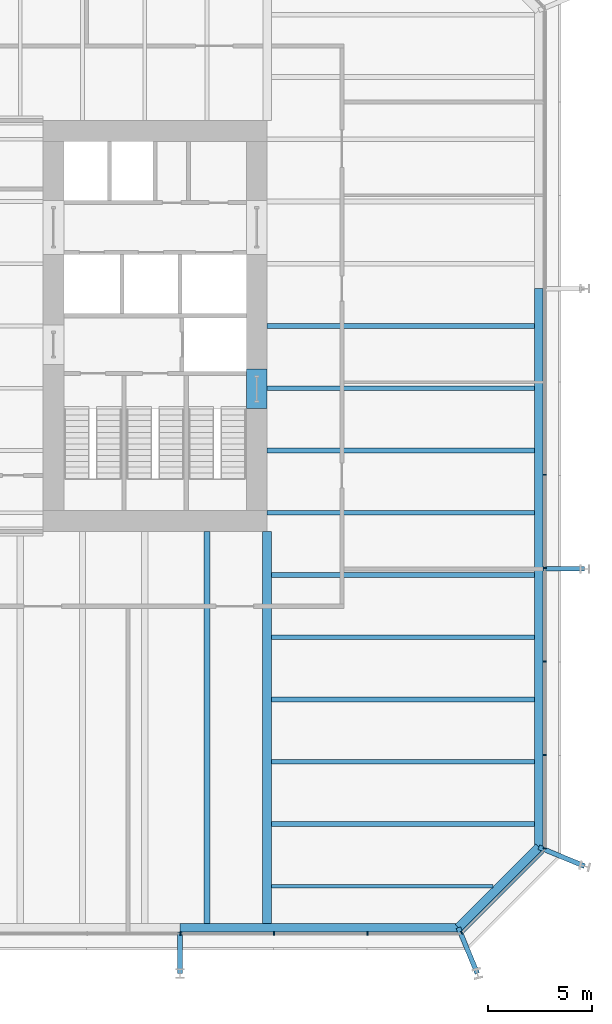
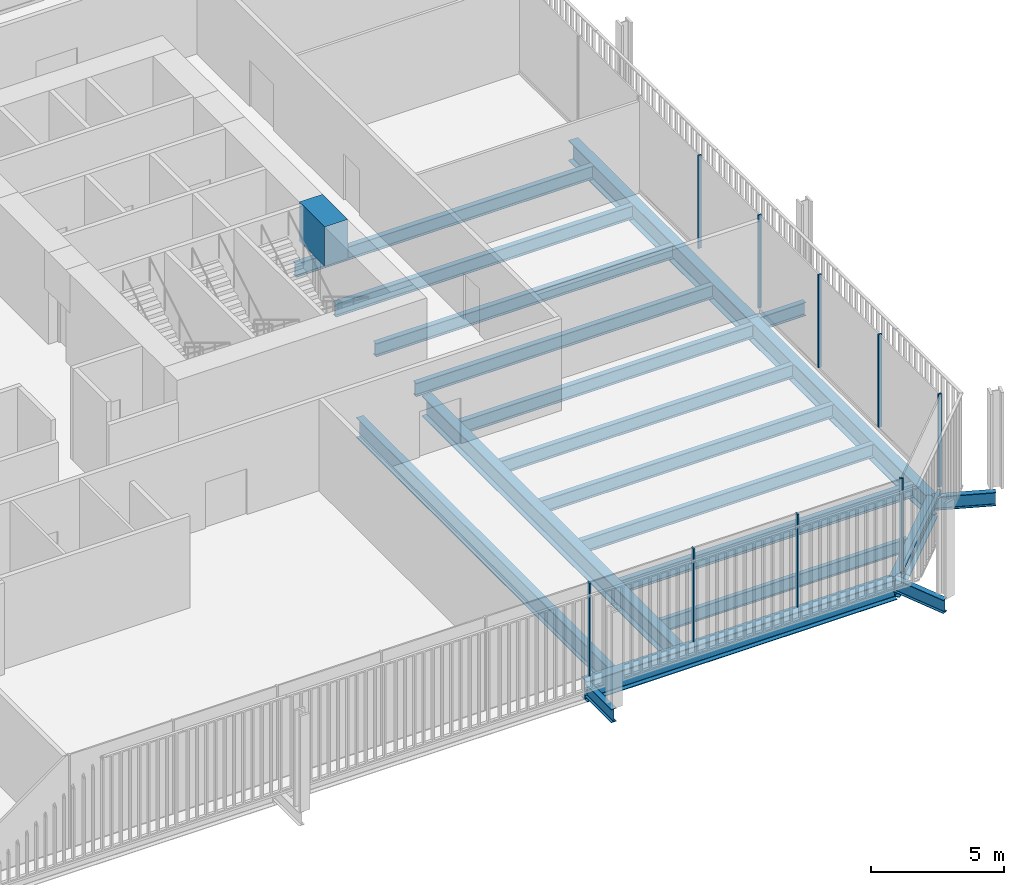
# One storey, part 8 of 20: 21 beams, 10 members, 3 elements without a shape of their own.
"""IFC4 building model written with IfcOpenShell, lengths in metres."""

import ifcopenshell
import ifcopenshell.guid

model = None  # the IFC model being written
_history = None  # IfcOwnerHistory: only IFC2X3 demands one
_inside = {}  # id of a spatial element -> (the spatial element, [elements in it])
_under = {}  # id of a project, library or spatial element -> (it, [spatial elements below it])
_declared = {}  # id of a project -> (the project, [libraries it declares])
_typed = {}  # id of a type object -> (the type object, [elements of that type])
_made_of = {}  # id of a material, layer set ... -> (it, [elements and type objects made of it])


def new_model(schema):
    """Start an empty IFC model of exactly this schema.

    Asked for "IFC4X3", IfcOpenShell would pick the latest addendum, in which some entities
    have other attributes; the version numbers below select the first issue.
    IFC2X3 requires an IfcOwnerHistory on every rooted entity: one is made here for all.
    """
    global model, _history
    if schema == "IFC4X3":
        model = ifcopenshell.file(schema_version=(4, 3, 0, 0))
    else:
        model = ifcopenshell.file(schema=schema)
    _inside.clear()
    _under.clear()
    _declared.clear()
    _typed.clear()
    _made_of.clear()
    _history = None
    if model.schema == "IFC2X3":
        org = make("IfcOrganization", Name="unknown")
        user = make(
            "IfcPersonAndOrganization",
            ThePerson=make("IfcPerson", FamilyName="unknown"),
            TheOrganization=org,
        )
        app = make(
            "IfcApplication",
            ApplicationDeveloper=org,
            Version="unknown",
            ApplicationFullName="unknown",
            ApplicationIdentifier="unknown",
        )
        _history = make(
            "IfcOwnerHistory",
            OwningUser=user,
            OwningApplication=app,
            ChangeAction="ADDED",
            CreationDate=0,
        )
    return model


def make(cls, **values):
    """One entity of the class cls with the attributes given. An attribute that is None is left unset."""
    return model.create_entity(
        cls, **{name: value for name, value in values.items() if value is not None}
    )


def rooted(cls, **values):
    """An entity with a GlobalId (a new one), such as an element, a storey or a relation."""
    return make(cls, GlobalId=ifcopenshell.guid.new(), OwnerHistory=_history, **values)


def si_unit(unit_type, name, prefix=None):
    """IfcSIUnit, for example si_unit("LENGTHUNIT", "METRE", prefix="MILLI")."""
    return make("IfcSIUnit", UnitType=unit_type, Prefix=prefix, Name=name)


def assignment(units):
    """IfcUnitAssignment: the units of a project."""
    return None if units is None else make("IfcUnitAssignment", Units=units)


def point(xyz):
    """IfcCartesianPoint."""
    return None if xyz is None else make("IfcCartesianPoint", Coordinates=xyz)


def direction(xyz):
    """IfcDirection."""
    return None if xyz is None else make("IfcDirection", DirectionRatios=xyz)


def frame(location, z_axis=None, x_axis=None):
    """IfcAxis2Placement3D, a coordinate frame: its origin and axes. An axis left out is left unset."""
    return make(
        "IfcAxis2Placement3D",
        Location=point(location),
        Axis=direction(z_axis),
        RefDirection=direction(x_axis),
    )


def frame_2d(location, x_axis=None):
    """IfcAxis2Placement2D, a coordinate frame in the plane: its origin and x axis."""
    return make(
        "IfcAxis2Placement2D", Location=point(location), RefDirection=direction(x_axis)
    )


def origin():
    """The frame at (0, 0, 0) with its axes left unset."""
    return frame((0.0, 0.0, 0.0))


def origin_2d():
    """The frame at (0, 0) in the plane with its x axis left unset."""
    return frame_2d((0.0, 0.0))


def place(relative_to, where):
    """IfcLocalPlacement: puts the frame where relative to a parent placement (None: the world)."""
    return make(
        "IfcLocalPlacement", PlacementRelTo=relative_to, RelativePlacement=where
    )


def context(
    kind, dimensions, precision=None, world=None, true_north=None, identifier=None
):
    """IfcGeometricRepresentationContext, for example the 3D "Model" context."""
    return make(
        "IfcGeometricRepresentationContext",
        ContextIdentifier=identifier,
        ContextType=kind,
        CoordinateSpaceDimension=dimensions,
        Precision=precision,
        WorldCoordinateSystem=world,
        TrueNorth=true_north,
    )


def subcontext(parent, identifier, kind, view, scale=None):
    """IfcGeometricRepresentationSubContext, for example "Body" below "Model"."""
    return make(
        "IfcGeometricRepresentationSubContext",
        ContextIdentifier=identifier,
        ContextType=kind,
        ParentContext=parent,
        TargetScale=scale,
        TargetView=view,
    )


def project(units=None, contexts=None):
    """IfcProject with its units and contexts."""
    return rooted(
        "IfcProject",
        Name="project",
        RepresentationContexts=contexts,
        UnitsInContext=assignment(units),
    )


def spatial(cls, under=None, at=None, **own):
    """A site, building, storey or space (cls), placed at a placement, below another one or the project."""
    s = rooted(cls, ObjectPlacement=at, **own)
    if under is not None:
        _under.setdefault(under.id(), (under, []))[1].append(s)
    return s


def profile(cls, at=None, kind="AREA", **sizes):
    """A parametric profile (cls). Its sizes go by their IFC names, for example OverallWidth=200.0."""
    return make(cls, ProfileType=kind, Position=at, **sizes)


def rectangle(**sizes):
    """IfcRectangleProfileDef."""
    return profile("IfcRectangleProfileDef", **sizes)


def i_section(**sizes):
    """IfcIShapeProfileDef."""
    return profile("IfcIShapeProfileDef", **sizes)


def extrude(swept, where, along, depth):
    """IfcExtrudedAreaSolid: the profile swept, set in the frame where, extruded along a direction by depth."""
    return make(
        "IfcExtrudedAreaSolid",
        SweptArea=swept,
        Position=where,
        ExtrudedDirection=direction(along),
        Depth=depth,
    )


def shape(context_of_items, identifier, shape_type, items):
    """IfcShapeRepresentation: the items that make up one representation, for example the "Body"."""
    return make(
        "IfcShapeRepresentation",
        ContextOfItems=context_of_items,
        RepresentationIdentifier=identifier,
        RepresentationType=shape_type,
        Items=items,
    )


def material(Name=None, Category=None):
    """IfcMaterial."""
    return make("IfcMaterial", Name=Name, Category=Category)


def layer(
    of_material, thickness, ventilated=None, Name=None, Category=None, Priority=None
):
    """IfcMaterialLayer: one layer of a wall or slab, of a material (None: an air gap)."""
    return make(
        "IfcMaterialLayer",
        Material=of_material,
        LayerThickness=thickness,
        IsVentilated=ventilated,
        Name=Name,
        Category=Category,
        Priority=Priority,
    )


def layer_set(layers, Name=None):
    """IfcMaterialLayerSet."""
    return make("IfcMaterialLayerSet", MaterialLayers=layers, LayerSetName=Name)


def material_profile(
    of_material, cross_section, Name=None, Category=None, Priority=None
):
    """IfcMaterialProfile: a cross section and its material."""
    return make(
        "IfcMaterialProfile",
        Name=Name,
        Material=of_material,
        Profile=cross_section,
        Priority=Priority,
        Category=Category,
    )


def profile_set(profiles, Name=None, composite=None):
    """IfcMaterialProfileSet."""
    return make(
        "IfcMaterialProfileSet",
        Name=Name,
        MaterialProfiles=profiles,
        CompositeProfile=composite,
    )


def made_of(thing, what):
    """Note that an element or type object is made of a material, layer set ...; save() writes the relation."""
    if what is not None:
        _made_of.setdefault(what.id(), (what, []))[1].append(thing)
    return thing


def type_object(cls, material=None, **own):
    """A type object (cls), such as IfcWallType, which elements share."""
    return made_of(rooted(cls, **own), material)


def element(
    cls,
    number,
    at=None,
    inside=None,
    cuts=None,
    type_object=None,
    material=None,
    context=None,
    identifier="Body",
    shape_type=None,
    held_by="IfcProductDefinitionShape",
    body=None,
    shapes=None,
    **own,
):
    """One element of the class cls, such as IfcWall. Its Tag is "e" and its number.

    at: its placement. inside: the storey or other place that contains it. cuts: it is an
    opening in that element (IfcRelVoidsElement). A single representation is given by context,
    identifier, shape_type and body (its items); several are given by shapes. held_by: the class
    of the entity that holds the representations. save() writes the other relations.
    """
    e = rooted(cls, Tag="e%d" % number, ObjectPlacement=at, **own)
    if body is not None:
        shapes = [shape(context, identifier, shape_type, body)]
    if shapes is not None:
        e.Representation = make(held_by, Representations=shapes)
    if inside is not None:
        _inside.setdefault(inside.id(), (inside, []))[1].append(e)
    if cuts is not None:
        rooted(
            "IfcRelVoidsElement", RelatingBuildingElement=cuts, RelatedOpeningElement=e
        )
    if type_object is not None:
        _typed.setdefault(type_object.id(), (type_object, []))[1].append(e)
    return made_of(e, material)


def aggregate(whole, parts):
    """IfcRelAggregates: a whole, such as a stair, and the parts it consists of."""
    return rooted("IfcRelAggregates", RelatingObject=whole, RelatedObjects=parts)


def save(model, path):
    """Write the relations noted so far, then the file.

    IfcRelAggregates (storeys below a building ...), IfcRelContainedInSpatialStructure (elements
    in a storey), IfcRelDefinesByType, IfcRelAssociatesMaterial and IfcRelDeclares: one each for
    every whole, place, type object, material and project.
    """
    for whole, parts in _under.values():
        aggregate(whole, parts)
    for where, things in _inside.values():
        rooted(
            "IfcRelContainedInSpatialStructure",
            RelatedElements=things,
            RelatingStructure=where,
        )
    for kind, things in _typed.values():
        rooted("IfcRelDefinesByType", RelatedObjects=things, RelatingType=kind)
    for what, things in _made_of.values():
        rooted("IfcRelAssociatesMaterial", RelatedObjects=things, RelatingMaterial=what)
    for by, libraries in _declared.values():
        rooted("IfcRelDeclares", RelatingContext=by, RelatedDefinitions=libraries)
    model.write(path)


model = new_model("IFC4")

# Units and contexts
model_context = context("Model", 3, precision=1e-05, world=origin(), true_north=direction((0.0, 1.0)))
body_context = subcontext(model_context, "Body", "Model", "MODEL_VIEW")
ifc_project = project(units=[si_unit("LENGTHUNIT", "METRE"), si_unit("AREAUNIT", "SQUARE_METRE"), si_unit("VOLUMEUNIT", "CUBIC_METRE"), si_unit("PLANEANGLEUNIT", "RADIAN"), si_unit("MASSUNIT", "GRAM", prefix="KILO")], contexts=[model_context])

# Site, building, storey
site_placement = place(None, origin())
site = spatial("IfcSite", under=ifc_project, at=site_placement, CompositionType="ELEMENT")
building_placement = place(site_placement, origin())
building = spatial("IfcBuilding", under=site, at=building_placement, Name="Millrace Tower", CompositionType="ELEMENT")
storey_placement = place(building_placement, frame((0.0, 0.0, 86.39990234375)))
storey = spatial("IfcBuildingStorey", under=building, at=storey_placement, Name="L19", CompositionType="ELEMENT", Elevation=86.39990234375)

# Curtain wall, members
ifc_material_1 = material(Name="Aluminium and glass", Category="aluminium")
ifc_layer = layer(ifc_material_1, 0.14990234375)
ifc_layer_set = layer_set([ifc_layer], Name="Aluminium and glass")
curtain_wall_type = type_object("IfcCurtainWallType", Name="CW-3 telecom floor curtain wall", PredefinedType="NOTDEFINED", material=ifc_layer_set)
placement = place(storey_placement, origin())
curtain_wall_1 = element("IfcCurtainWall", 1, at=placement, inside=storey, type_object=curtain_wall_type, Name="Curtain wall B-F02 L19", PredefinedType="NOTDEFINED")
ifc_material_2 = material(Name="Aluminium", Category="aluminium")
ifc_material_profile_1 = material_profile(ifc_material_2, rectangle(XDim=0.06494140625, YDim=0.14990234375, at=origin_2d()))
ifc_profile_set_1 = profile_set([ifc_material_profile_1], Name="Aluminium")
member_type_1 = type_object("IfcMemberType", Name="CW-3 telecom floor curtain wall mullion", PredefinedType="MULLION", material=ifc_profile_set_1)
member_1_placement = place(storey_placement, frame((10.732421875, -29.27490234375, 0.150146484375), z_axis=(0.0, 0.0, 1.0), x_axis=(1.0, 0.0, 0.0)))
member_1 = element("IfcMember", 2, at=member_1_placement, type_object=member_type_1, Name="CW3 mullion B-F02.7", PredefinedType="MULLION", context=body_context, shape_type="SweptSolid", body=[
    extrude(rectangle(XDim=0.06494140625, YDim=0.14990234375, at=origin_2d()), origin(), (0.0, 0.0, 1.0), 4.25),
])
member_2_placement = place(storey_placement, frame((15.232421875, -29.27490234375, 0.150146484375), z_axis=(0.0, 0.0, 1.0), x_axis=(1.0, 0.0, 0.0)))
member_2 = element("IfcMember", 3, at=member_2_placement, type_object=member_type_1, Name="CW3 mullion B-F02.8", PredefinedType="MULLION", context=body_context, shape_type="SweptSolid", body=[
    extrude(rectangle(XDim=0.06494140625, YDim=0.14990234375, at=origin_2d()), origin(), (0.0, 0.0, 1.0), 4.25),
])
member_3_placement = place(storey_placement, frame((19.732421875, -29.27490234375, 0.150146484375), z_axis=(0.0, 0.0, 1.0), x_axis=(1.0, 0.0, 0.0)))
member_3 = element("IfcMember", 4, at=member_3_placement, type_object=member_type_1, Name="CW3 mullion B-F02.9", PredefinedType="MULLION", context=body_context, shape_type="SweptSolid", body=[
    extrude(rectangle(XDim=0.06494140625, YDim=0.14990234375, at=origin_2d()), origin(), (0.0, 0.0, 1.0), 4.25),
])
aggregate(curtain_wall_1, [member_1, member_2, member_3])

# Curtain wall, member
curtain_wall_2 = element("IfcCurtainWall", 5, at=placement, inside=storey, type_object=curtain_wall_type, Name="Curtain wall B-F03 L19", PredefinedType="NOTDEFINED")
member_4_placement = place(storey_placement, frame((24.276123046875, -29.22998046875, 0.150146484375), z_axis=(0.0, 0.0, 1.0), x_axis=(0.707106781187, 0.707106781187, 0.0)))
member_4 = element("IfcMember", 6, at=member_4_placement, type_object=member_type_1, Name="CW3 mullion B-F03.1", PredefinedType="MULLION", context=body_context, shape_type="SweptSolid", body=[
    extrude(rectangle(XDim=0.06494140625, YDim=0.14990234375, at=origin_2d()), origin(), (0.0, 0.0, 1.0), 4.25),
])

# Curtain wall, members
curtain_wall_3 = element("IfcCurtainWall", 7, at=placement, inside=storey, type_object=curtain_wall_type, Name="Curtain wall B-F04 L19", PredefinedType="NOTDEFINED")
member_5_placement = place(storey_placement, frame((28.27490234375, -25.16748046875, 0.150146484375), z_axis=(0.0, 0.0, 1.0), x_axis=(0.0, 1.0, 0.0)))
member_5 = element("IfcMember", 8, at=member_5_placement, type_object=member_type_1, Name="CW3 mullion B-F04.1", PredefinedType="MULLION", context=body_context, shape_type="SweptSolid", body=[
    extrude(rectangle(XDim=0.06494140625, YDim=0.14990234375, at=origin_2d()), origin(), (0.0, 0.0, 1.0), 4.25),
])
member_6_placement = place(storey_placement, frame((28.27490234375, -20.66748046875, 0.150146484375), z_axis=(0.0, 0.0, 1.0), x_axis=(0.0, 1.0, 0.0)))
member_6 = element("IfcMember", 9, at=member_6_placement, type_object=member_type_1, Name="CW3 mullion B-F04.2", PredefinedType="MULLION", context=body_context, shape_type="SweptSolid", body=[
    extrude(rectangle(XDim=0.06494140625, YDim=0.14990234375, at=origin_2d()), origin(), (0.0, 0.0, 1.0), 4.25),
])
member_7_placement = place(storey_placement, frame((28.27490234375, -16.16748046875, 0.150146484375), z_axis=(0.0, 0.0, 1.0), x_axis=(0.0, 1.0, 0.0)))
member_7 = element("IfcMember", 10, at=member_7_placement, type_object=member_type_1, Name="CW3 mullion B-F04.3", PredefinedType="MULLION", context=body_context, shape_type="SweptSolid", body=[
    extrude(rectangle(XDim=0.06494140625, YDim=0.14990234375, at=origin_2d()), origin(), (0.0, 0.0, 1.0), 4.25),
])
member_8_placement = place(storey_placement, frame((28.27490234375, -11.66748046875, 0.150146484375), z_axis=(0.0, 0.0, 1.0), x_axis=(0.0, 1.0, 0.0)))
member_8 = element("IfcMember", 11, at=member_8_placement, type_object=member_type_1, Name="CW3 mullion B-F04.4", PredefinedType="MULLION", context=body_context, shape_type="SweptSolid", body=[
    extrude(rectangle(XDim=0.06494140625, YDim=0.14990234375, at=origin_2d()), origin(), (0.0, 0.0, 1.0), 4.25),
])
member_9_placement = place(storey_placement, frame((28.27490234375, -7.16748046875, 0.150146484375), z_axis=(0.0, 0.0, 1.0), x_axis=(0.0, 1.0, 0.0)))
member_9 = element("IfcMember", 12, at=member_9_placement, type_object=member_type_1, Name="CW3 mullion B-F04.5", PredefinedType="MULLION", context=body_context, shape_type="SweptSolid", body=[
    extrude(rectangle(XDim=0.06494140625, YDim=0.14990234375, at=origin_2d()), origin(), (0.0, 0.0, 1.0), 4.25),
])
aggregate(curtain_wall_3, [member_5, member_6, member_7, member_8, member_9])

# Member
ifc_material_3 = material(Name="Aluminium", Category="aluminium")
ifc_material_profile_2 = material_profile(ifc_material_3, rectangle(XDim=0.14990234375, YDim=0.14990234375, at=origin_2d()))
ifc_profile_set_2 = profile_set([ifc_material_profile_2], Name="Aluminium")
member_type_2 = type_object("IfcMemberType", Name="CW-3 telecom floor curtain wall transom", PredefinedType="USERDEFINED", material=ifc_profile_set_2)
member_10_placement = place(storey_placement, frame((24.32373046875, -29.182373046875, 0.0751953125), z_axis=(0.707106781187, 0.707106781187, 0.0), x_axis=(-0.707106781187, 0.707106781187, 0.0)))
member_10 = element("IfcMember", 13, at=member_10_placement, type_object=member_type_2, Name="CW3 transom B-F03.1", ObjectType="TRANSOM", PredefinedType="USERDEFINED", context=body_context, shape_type="SweptSolid", body=[
    extrude(rectangle(XDim=0.14990234375, YDim=0.14990234375, at=origin_2d()), origin(), (0.0, 0.0, 1.0), 5.45703125),
])

aggregate(curtain_wall_2, [member_4, member_10])

# Beams
ifc_material_4 = material(Name="Concrete C80", Category="concrete")
ifc_material_profile_3 = material_profile(ifc_material_4, rectangle(XDim=1.0, YDim=1.800048828125, at=origin_2d()))
ifc_profile_set_3 = profile_set([ifc_material_profile_3], Name="Concrete C80")
beam_type_1 = type_object("IfcBeamType", Name="Coupling beam 1000 x 1800 Concrete C80, 1300 opening", PredefinedType="BEAM", material=ifc_profile_set_3)
beam_1_placement = place(storey_placement, frame((14.39990234375, -2.080078125, 3.300048828125), z_axis=(0.0, -1.0, 0.0), x_axis=(1.0, 0.0, 0.0)))
element("IfcBeam", 14, at=beam_1_placement, inside=storey, type_object=beam_type_1, Name="Coupling beam E L19", PredefinedType="BEAM", context=body_context, shape_type="SweptSolid", body=[
    extrude(rectangle(XDim=1.0, YDim=1.800048828125, at=origin_2d()), origin(), (0.0, 0.0, 1.0), 1.89990234375),
])
ifc_material_5 = material(Name="Steel ASTM A992 Grade 50", Category="steel")
ifc_material_profile_4 = material_profile(ifc_material_5, i_section(OverallWidth=0.1787109375, OverallDepth=0.60205078125, WebThickness=0.010986328125, FlangeThickness=0.014892578125, FilletRadius=0.0126953125, at=origin_2d()))
ifc_profile_set_4 = profile_set([ifc_material_profile_4], Name="Steel ASTM A992 Grade 50")
beam_type_2 = type_object("IfcBeamType", Name="Floor beam W24x62", PredefinedType="JOIST", material=ifc_profile_set_4)
beam_2_placement = place(storey_placement, frame((15.11083984375, -27.0, -0.5009765625), z_axis=(1.0, 0.0, 0.0), x_axis=(0.0, 1.0, 0.0)))
element("IfcBeam", 15, at=beam_2_placement, inside=storey, type_object=beam_type_2, Name="BM-B-L19-S1-S002", PredefinedType="JOIST", context=body_context, shape_type="SweptSolid", body=[
    extrude(i_section(OverallWidth=0.1787109375, OverallDepth=0.60205078125, WebThickness=0.010986328125, FlangeThickness=0.014892578125, FilletRadius=0.0126953125, at=origin_2d()), origin(), (0.0, 0.0, 1.0), 10.67236328125),
])
ifc_material_6 = material(Name="Steel ASTM A992 Grade 50", Category="steel")
ifc_material_profile_5 = material_profile(ifc_material_6, i_section(OverallWidth=0.228271484375, OverallDepth=0.607177734375, WebThickness=0.01123046875, FlangeThickness=0.017333984375, FilletRadius=0.0126953125, at=origin_2d()))
ifc_profile_set_5 = profile_set([ifc_material_profile_5], Name="Steel ASTM A992 Grade 50")
beam_type_3 = type_object("IfcBeamType", Name="Floor beam W24x76", PredefinedType="JOIST", material=ifc_profile_set_5)
for number, where, z_axis, x_axis, name in (
    (16, (15.11083984375, -24.0, -0.50341796875), (1.0, 0.0, 0.0), (0.0, 1.0, 0.0), "BM-B-L19-S1-S004"),
    (17, (15.11083984375, -21.0, -0.50341796875), (1.0, 0.0, 0.0), (0.0, 1.0, 0.0), "BM-B-L19-S1-S006"),
    (18, (15.11083984375, -18.0, -0.50341796875), (1.0, 0.0, 0.0), (0.0, 1.0, 0.0), "BM-B-L19-S1-S008"),
    (19, (15.11083984375, -15.0, -0.50341796875), (1.0, 0.0, 0.0), (0.0, 1.0, 0.0), "BM-B-L19-S1-S010"),
    (20, (15.11083984375, -12.0, -0.50341796875), (1.0, 0.0, 0.0), (0.0, 1.0, 0.0), "BM-B-L19-S1-S012"),
):
    element("IfcBeam", number, at=place(storey_placement, frame(where, z_axis=z_axis, x_axis=x_axis)), inside=storey, type_object=beam_type_3, Name=name, PredefinedType="JOIST", context=body_context, shape_type="SweptSolid", body=[
        extrude(i_section(OverallWidth=0.228271484375, OverallDepth=0.607177734375, WebThickness=0.01123046875, FlangeThickness=0.017333984375, FilletRadius=0.0126953125, at=origin_2d()), origin(), (0.0, 0.0, 1.0), 12.670166015625),
    ])
for number, where, z_axis, x_axis, name in (
    (21, (14.89990234375, -9.0, -0.50341796875), (1.0, 0.0, 0.0), (0.0, 1.0, 0.0), "BM-B-L19-S1-S015"),
    (22, (14.89990234375, -6.0, -0.50341796875), (1.0, 0.0, 0.0), (0.0, 1.0, 0.0), "BM-B-L19-S1-S018"),
    (23, (14.89990234375, -3.0, -0.50341796875), (1.0, 0.0, 0.0), (0.0, 1.0, 0.0), "BM-B-L19-S1-S021"),
    (24, (14.89990234375, 0.0, -0.50341796875), (1.0, 0.0, 0.0), (0.0, 1.0, 0.0), "BM-B-L19-S1-S024"),
):
    element("IfcBeam", number, at=place(storey_placement, frame(where, z_axis=z_axis, x_axis=x_axis)), inside=storey, type_object=beam_type_3, Name=name, PredefinedType="JOIST", context=body_context, shape_type="SweptSolid", body=[
        extrude(i_section(OverallWidth=0.228271484375, OverallDepth=0.607177734375, WebThickness=0.01123046875, FlangeThickness=0.017333984375, FilletRadius=0.0126953125, at=origin_2d()), origin(), (0.0, 0.0, 1.0), 12.881103515625),
    ])
ifc_material_7 = material(Name="Steel ASTM A992 Grade 50", Category="steel")
ifc_material_profile_6 = material_profile(ifc_material_7, i_section(OverallWidth=0.307373046875, OverallDepth=0.927001953125, WebThickness=0.01953125, FlangeThickness=0.031982421875, FilletRadius=0.01904296875, at=origin_2d()))
ifc_profile_set_6 = profile_set([ifc_material_profile_6], Name="Steel ASTM A992 Grade 50")
beam_type_4 = type_object("IfcBeamType", Name="Floor beam W36x194", PredefinedType="JOIST", material=ifc_profile_set_6)
beam_3_placement = place(storey_placement, frame((12.0, -28.781005859375, -0.66357421875), z_axis=(0.0, 1.0, 0.0), x_axis=(-1.0, 0.0, 0.0)))
element("IfcBeam", 25, at=beam_3_placement, inside=storey, type_object=beam_type_4, Name="BM-B-L19-S1-S057", PredefinedType="JOIST", context=body_context, shape_type="SweptSolid", body=[
    extrude(i_section(OverallWidth=0.307373046875, OverallDepth=0.927001953125, WebThickness=0.01953125, FlangeThickness=0.031982421875, FilletRadius=0.01904296875, at=origin_2d()), origin(), (0.0, 0.0, 1.0), 18.881103515625),
])
ifc_material_8 = material(Name="Steel ASTM A992 Grade 50", Category="steel")
ifc_material_profile_7 = material_profile(ifc_material_8, i_section(OverallWidth=0.424072265625, OverallDepth=0.947509765625, WebThickness=0.02392578125, FlangeThickness=0.042724609375, FilletRadius=0.024169921875, at=origin_2d()))
ifc_profile_set_7 = profile_set([ifc_material_profile_7], Name="Steel ASTM A992 Grade 50")
beam_type_5 = type_object("IfcBeamType", Name="Girder medium span W36x302", PredefinedType="BEAM", material=ifc_profile_set_7)
beam_4_placement = place(storey_placement, frame((14.89990234375, -28.781005859375, -0.673583984375), z_axis=(0.0, 1.0, 0.0), x_axis=(-1.0, 0.0, 0.0)))
element("IfcBeam", 26, at=beam_4_placement, inside=storey, type_object=beam_type_5, Name="BM-B-L19-S1-G061", PredefinedType="BEAM", context=body_context, shape_type="SweptSolid", body=[
    extrude(i_section(OverallWidth=0.424072265625, OverallDepth=0.947509765625, WebThickness=0.02392578125, FlangeThickness=0.042724609375, FilletRadius=0.024169921875, at=origin_2d()), origin(), (0.0, 0.0, 1.0), 18.881103515625),
])
ifc_material_9 = material(Name="Steel ASTM A992 Grade 50", Category="steel")
ifc_material_profile_8 = material_profile(ifc_material_9, i_section(OverallWidth=0.23046875, OverallDepth=0.6171875, WebThickness=0.01318359375, FlangeThickness=0.022216796875, FilletRadius=0.012939453125, at=origin_2d()))
ifc_profile_set_8 = profile_set([ifc_material_profile_8], Name="Steel ASTM A992 Grade 50")
beam_type_6 = type_object("IfcBeamType", Name="Link beam W24x94", PredefinedType="BEAM", material=ifc_profile_set_8)
beam_5_placement = place(storey_placement, frame((28.199951171875, -11.699951171875, -0.508544921875), z_axis=(1.0, 0.0, 0.0), x_axis=(0.0, 1.0, 0.0)))
element("IfcBeam", 27, at=beam_5_placement, inside=storey, type_object=beam_type_6, Name="LNK-B-L19-S1-11", PredefinedType="BEAM", context=body_context, shape_type="SweptSolid", body=[
    extrude(i_section(OverallWidth=0.23046875, OverallDepth=0.6171875, WebThickness=0.01318359375, FlangeThickness=0.022216796875, FilletRadius=0.012939453125, at=origin_2d()), origin(), (0.0, 0.0, 1.0), 2.0),
])
for number, where, z_axis, x_axis, name in (
    (28, (27.990478515625, -25.11328125, -0.508544921875), (0.923902368833, -0.382628295954, 0.0), (0.382628295954, 0.923902368833, 0.0), "LNK-B-L19-S1-12"),
    (29, (24.11328125, -28.990478515625, -0.508544921875), (0.382628295954, -0.923902368833, 0.0), (0.923902368833, 0.382628295954, 0.0), "LNK-B-L19-S1-13"),
):
    element("IfcBeam", number, at=place(storey_placement, frame(where, z_axis=z_axis, x_axis=x_axis)), inside=storey, type_object=beam_type_6, Name=name, PredefinedType="BEAM", context=body_context, shape_type="SweptSolid", body=[
        extrude(i_section(OverallWidth=0.23046875, OverallDepth=0.6171875, WebThickness=0.01318359375, FlangeThickness=0.022216796875, FilletRadius=0.012939453125, at=origin_2d()), origin(), (0.0, 0.0, 1.0), 2.391357421875),
    ])
beam_6_placement = place(storey_placement, frame((10.699951171875, -29.199951171875, -0.508544921875), z_axis=(0.0, -1.0, 0.0), x_axis=(1.0, 0.0, 0.0)))
element("IfcBeam", 30, at=beam_6_placement, inside=storey, type_object=beam_type_6, Name="LNK-B-L19-S1-14", PredefinedType="BEAM", context=body_context, shape_type="SweptSolid", body=[
    extrude(i_section(OverallWidth=0.23046875, OverallDepth=0.6171875, WebThickness=0.01318359375, FlangeThickness=0.022216796875, FilletRadius=0.012939453125, at=origin_2d()), origin(), (0.0, 0.0, 1.0), 2.0),
])
ifc_material_10 = material(Name="Steel ASTM A992 Grade 50", Category="steel")
ifc_material_profile_9 = material_profile(ifc_material_10, i_section(OverallWidth=0.419189453125, OverallDepth=0.927001953125, WebThickness=0.019287109375, FlangeThickness=0.031982421875, FilletRadius=0.024169921875, at=origin_2d()))
ifc_profile_set_9 = profile_set([ifc_material_profile_9], Name="Steel ASTM A992 Grade 50")
beam_type_7 = type_object("IfcBeamType", Name="Ring beam medium span W36x231", PredefinedType="SPANDREL", material=ifc_profile_set_9)
beam_7_placement = place(storey_placement, frame((27.990478515625, 1.800048828125, -0.66357421875), z_axis=(0.0, -1.0, 0.0), x_axis=(1.0, 0.0, 0.0)))
element("IfcBeam", 31, at=beam_7_placement, inside=storey, type_object=beam_type_7, Name="RNG-B-L19-S1-10", PredefinedType="SPANDREL", context=body_context, shape_type="SweptSolid", body=[
    extrude(i_section(OverallWidth=0.419189453125, OverallDepth=0.927001953125, WebThickness=0.019287109375, FlangeThickness=0.031982421875, FilletRadius=0.024169921875, at=origin_2d()), origin(), (0.0, 0.0, 1.0), 13.5),
])
for number, where, z_axis, x_axis, name in (
    (32, (27.990478515625, -11.699951171875, -0.66357421875), (0.0, -1.0, 0.0), (1.0, 0.0, 0.0), "RNG-B-L19-S1-11"),
    (33, (24.11328125, -28.990478515625, -0.66357421875), (-1.0, 0.0, 0.0), (0.0, -1.0, 0.0), "RNG-B-L19-S1-13"),
):
    element("IfcBeam", number, at=place(storey_placement, frame(where, z_axis=z_axis, x_axis=x_axis)), inside=storey, type_object=beam_type_7, Name=name, PredefinedType="SPANDREL", context=body_context, shape_type="SweptSolid", body=[
        extrude(i_section(OverallWidth=0.419189453125, OverallDepth=0.927001953125, WebThickness=0.019287109375, FlangeThickness=0.031982421875, FilletRadius=0.024169921875, at=origin_2d()), origin(), (0.0, 0.0, 1.0), 13.413330078125),
    ])
ifc_material_11 = material(Name="Steel ASTM A992 Grade 50", Category="steel")
ifc_material_profile_10 = material_profile(ifc_material_11, i_section(OverallWidth=0.419189453125, OverallDepth=0.927001953125, WebThickness=0.019287109375, FlangeThickness=0.031982421875, FilletRadius=0.024169921875, at=origin_2d()))
ifc_profile_set_10 = profile_set([ifc_material_profile_10], Name="Steel ASTM A992 Grade 50")
beam_type_8 = type_object("IfcBeamType", Name="Ring beam short span W36x231", PredefinedType="SPANDREL", material=ifc_profile_set_10)
beam_8_placement = place(storey_placement, frame((27.990478515625, -25.11328125, -0.66357421875), z_axis=(-0.707106781187, -0.707106781187, 0.0), x_axis=(0.707106781187, -0.707106781187, 0.0)))
element("IfcBeam", 34, at=beam_8_placement, inside=storey, type_object=beam_type_8, Name="RNG-B-L19-S1-12", PredefinedType="SPANDREL", context=body_context, shape_type="SweptSolid", body=[
    extrude(i_section(OverallWidth=0.419189453125, OverallDepth=0.927001953125, WebThickness=0.019287109375, FlangeThickness=0.031982421875, FilletRadius=0.024169921875, at=origin_2d()), origin(), (0.0, 0.0, 1.0), 5.483154296875),
])

save(model, "model.ifc")
